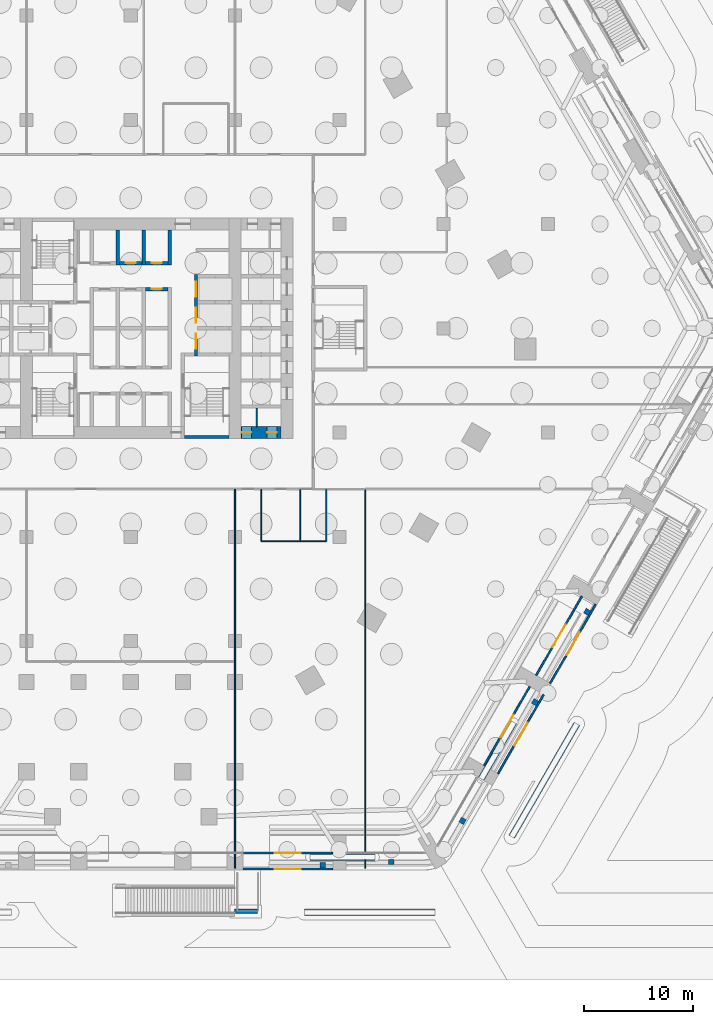
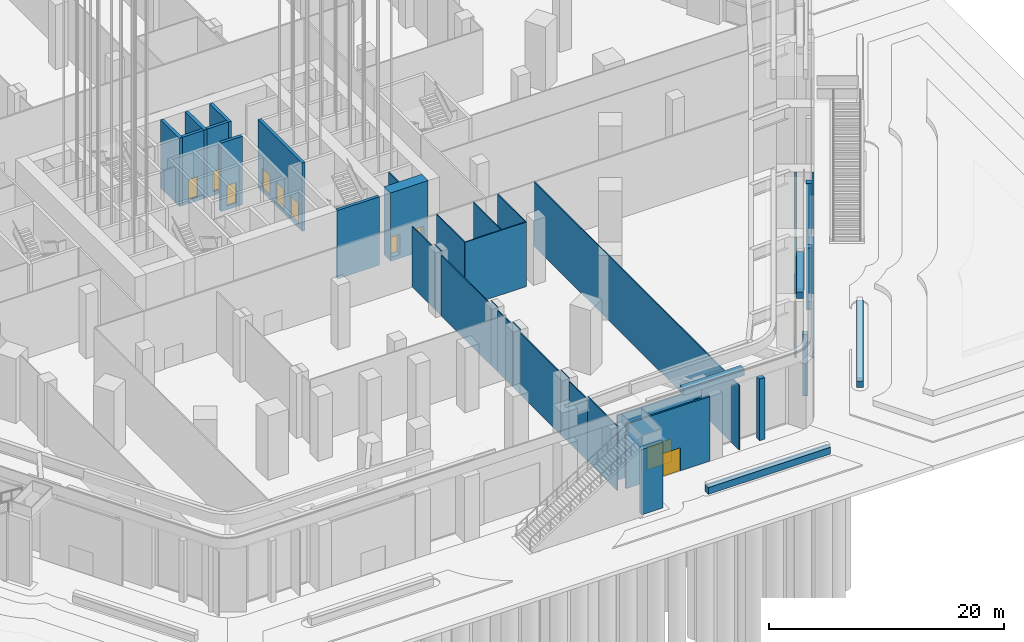
# One storey, part 16 of 68: 41 walls, 14 doors, 14 openings.
"""IFC4 building model written with IfcOpenShell, lengths in metres."""

from ifc_helpers import new_model, si_unit, direction, frame, frame_2d, origin, place, context, subcontext, project, spatial, rectangle, extrude, material, layer, layer_set, type_object, element, fill, save


model = new_model("IFC4")

# Units and contexts
model_context = context("Model", 3, precision=1e-05, world=origin(), true_north=direction((0.0, 1.0)))
body_context = subcontext(model_context, "Body", "Model", "MODEL_VIEW")
ifc_project = project(units=[si_unit("LENGTHUNIT", "METRE"), si_unit("AREAUNIT", "SQUARE_METRE"), si_unit("VOLUMEUNIT", "CUBIC_METRE"), si_unit("PLANEANGLEUNIT", "RADIAN"), si_unit("MASSUNIT", "GRAM", prefix="KILO")], contexts=[model_context])

# Site, building, storey
site_placement = place(None, origin())
site = spatial("IfcSite", under=ifc_project, at=site_placement, CompositionType="ELEMENT")
building_placement = place(site_placement, origin())
building = spatial("IfcBuilding", under=site, at=building_placement, Name="Kolab Exchange Tower", CompositionType="ELEMENT")
storey_placement = place(building_placement, origin())
storey = spatial("IfcBuildingStorey", under=building, at=storey_placement, Name="L00", CompositionType="ELEMENT", Elevation=0.0)

# Wall, openings, doors
ifc_material_1 = material(Name="Concrete C80/95", Category="concrete")
ifc_layer_1 = layer(ifc_material_1, 1.10009765625)
ifc_layer_set_1 = layer_set([ifc_layer_1], Name="Concrete C80/95")
wall_type_1 = type_object("IfcWallType", Name="CORE WALL 1100 C80/95", PredefinedType="SHEAR", material=ifc_layer_set_1)
wall_1_placement = place(storey_placement, frame((10.14990234375, -9.60009765625, -0.39990234375), z_axis=(0.0, 0.0, 1.0), x_axis=(1.0, 0.0, 0.0)))
wall_1 = element("IfcWall", 1, at=wall_1_placement, inside=storey, type_object=wall_type_1, Name="wall/L00/core/004", PredefinedType="SHEAR", context=body_context, shape_type="SweptSolid", body=[
    extrude(rectangle(XDim=3.7001953125, YDim=1.10009765625, at=frame_2d((1.85009765625, 0.0))), origin(), (0.0, 0.0, 1.0), 7.099853515625),
])
opening_1_placement = place(wall_1_placement, frame((0.050048828125, 0.0, 0.39990234375)))
opening_1 = element("IfcOpeningElement", 2, at=opening_1_placement, cuts=wall_1, Name="Opening D6-017", PredefinedType="OPENING", context=body_context, shape_type="SweptSolid", body=[
    extrude(rectangle(XDim=0.89990234375, YDim=2.10009765625, at=frame_2d((0.449951171875, 1.050048828125))), frame((0.0, 0.56005859375, 0.0), z_axis=(0.0, -1.0, 0.0), x_axis=(1.0, 0.0, 0.0)), (0.0, 0.0, 1.0), 1.1201171875),
])
opening_2_placement = place(wall_1_placement, frame((2.39990234375, 0.0, 0.39990234375)))
opening_2 = element("IfcOpeningElement", 3, at=opening_2_placement, cuts=wall_1, Name="Opening D6-018", PredefinedType="OPENING", context=body_context, shape_type="SweptSolid", body=[
    extrude(rectangle(XDim=0.89990234375, YDim=2.10009765625, at=frame_2d((0.449951171875, 1.050048828125))), frame((0.0, 0.56005859375, 0.0), z_axis=(0.0, -1.0, 0.0), x_axis=(1.0, 0.0, 0.0)), (0.0, 0.0, 1.0), 1.1201171875),
])
ifc_material_2 = material(Name="Steel S235", Category="steel")
door_type_1 = type_object("IfcDoorType", Name="CORE DOOR 900 EI 120", OperationType="SINGLE_SWING_LEFT", PredefinedType="DOOR", material=ifc_material_2)
door_1_placement = place(opening_1_placement, origin())
door_1 = element("IfcDoor", 4, at=door_1_placement, inside=storey, type_object=door_type_1, Name="Service room door", OperationType="SINGLE_SWING_RIGHT", OverallHeight=2.10009765625, OverallWidth=0.89990234375, PredefinedType="DOOR", context=body_context, shape_type="SweptSolid", body=[
    extrude(rectangle(XDim=0.89990234375, YDim=2.10009765625, at=frame_2d((0.449951171875, 1.050048828125))), frame((0.0, 0.02490234375, 0.0), z_axis=(0.0, -1.0, 0.0), x_axis=(1.0, 0.0, 0.0)), (0.0, 0.0, 1.0), 0.050048828125),
])
fill(opening_1, door_1)
door_2_placement = place(opening_2_placement, origin())
door_2 = element("IfcDoor", 5, at=door_2_placement, inside=storey, type_object=door_type_1, Name="Service room door", OperationType="SINGLE_SWING_LEFT", OverallHeight=2.10009765625, OverallWidth=0.89990234375, PredefinedType="DOOR", context=body_context, shape_type="SweptSolid", body=[
    extrude(rectangle(XDim=0.89990234375, YDim=2.10009765625, at=frame_2d((0.449951171875, 1.050048828125))), frame((0.0, 0.02490234375, 0.0), z_axis=(0.0, -1.0, 0.0), x_axis=(1.0, 0.0, 0.0)), (0.0, 0.0, 1.0), 0.050048828125),
])
fill(opening_2, door_2)

# Wall, opening, door
ifc_material_3 = material(Name="Aluminium EN AW-6063 T6", Category="aluminium")
ifc_layer_2 = layer(ifc_material_3, 0.159912109375)
ifc_layer_set_2 = layer_set([ifc_layer_2], Name="Aluminium EN AW-6063 T6")
wall_type_2 = type_object("IfcWallType", Name="DOOR SURROUND WALL 160 ALUMINIUM FRAMED", PredefinedType="PARTITIONING", material=ifc_layer_set_2)
wall_2_placement = place(storey_placement, frame((41.53076171875, -24.6728515625, 0.0), z_axis=(0.0, 0.0, 1.0), x_axis=(-0.49999513524, -0.866028212437, 0.0)))
wall_2 = element("IfcWall", 6, at=wall_2_placement, inside=storey, type_object=wall_type_2, Name="Door surround wall", PredefinedType="PARTITIONING", context=body_context, shape_type="SweptSolid", body=[
    extrude(rectangle(XDim=8.39599609375, YDim=0.159912109375, at=frame_2d((4.197998046875, 0.0))), origin(), (0.0, 0.0, 1.0), 6.699951171875),
])
opening_3_placement = place(wall_2_placement, frame((2.998046875, 0.0, 0.0)))
opening_3 = element("IfcOpeningElement", 7, at=opening_3_placement, cuts=wall_2, Name="Opening ED1-010", PredefinedType="OPENING", context=body_context, shape_type="SweptSolid", body=[
    extrude(rectangle(XDim=2.39990234375, YDim=2.39990234375, at=frame_2d((1.199951171875, 1.199951171875))), frame((0.0, 0.08984375, 0.0), z_axis=(0.0, -1.0, 0.0), x_axis=(1.0, 0.0, 0.0)), (0.0, 0.0, 1.0), 0.179931640625),
])
door_type_2 = type_object("IfcDoorType", Name="ENTRANCE DOUBLE DOOR 2400 X 2400", OperationType="DOUBLE_DOOR_DOUBLE_SWING", PredefinedType="DOOR", material=ifc_material_3)
door_3_placement = place(opening_3_placement, origin())
door_3 = element("IfcDoor", 8, at=door_3_placement, inside=storey, type_object=door_type_2, Name="Entrance door", OperationType="DOUBLE_DOOR_DOUBLE_SWING", OverallHeight=2.39990234375, OverallWidth=2.39990234375, PredefinedType="DOOR", context=body_context, shape_type="SweptSolid", body=[
    extrude(rectangle(XDim=2.39990234375, YDim=2.39990234375, at=frame_2d((1.199951171875, 1.199951171875))), frame((0.0, 0.02490234375, 0.0), z_axis=(0.0, -1.0, 0.0), x_axis=(1.0, 0.0, 0.0)), (0.0, 0.0, 1.0), 0.050048828125),
])
fill(opening_3, door_3)

wall_3_placement = place(storey_placement, frame((36.730712890625, -32.98681640625, 0.0), z_axis=(0.0, 0.0, 1.0), x_axis=(-0.500007726539, -0.866020942819, 0.0)))
wall_3 = element("IfcWall", 9, at=wall_3_placement, inside=storey, type_object=wall_type_2, Name="Door surround wall", PredefinedType="PARTITIONING", context=body_context, shape_type="SweptSolid", body=[
    extrude(rectangle(XDim=8.395751953125, YDim=0.159912109375, at=frame_2d((4.19775390625, 0.0))), origin(), (0.0, 0.0, 1.0), 6.699951171875),
])
opening_4_placement = place(wall_3_placement, frame((2.998046875, 0.0, 0.0)))
opening_4 = element("IfcOpeningElement", 10, at=opening_4_placement, cuts=wall_3, Name="Opening ED1-011", PredefinedType="OPENING", context=body_context, shape_type="SweptSolid", body=[
    extrude(rectangle(XDim=2.39990234375, YDim=2.39990234375, at=frame_2d((1.199951171875, 1.199951171875))), frame((0.0, 0.08984375, 0.0), z_axis=(0.0, -1.0, 0.0), x_axis=(1.0, 0.0, 0.0)), (0.0, 0.0, 1.0), 0.179931640625),
])
door_4_placement = place(opening_4_placement, origin())
door_4 = element("IfcDoor", 11, at=door_4_placement, inside=storey, type_object=door_type_2, Name="Entrance door", OperationType="DOUBLE_DOOR_DOUBLE_SWING", OverallHeight=2.39990234375, OverallWidth=2.39990234375, PredefinedType="DOOR", context=body_context, shape_type="SweptSolid", body=[
    extrude(rectangle(XDim=2.39990234375, YDim=2.39990234375, at=frame_2d((1.199951171875, 1.199951171875))), frame((0.0, 0.02490234375, 0.0), z_axis=(0.0, -1.0, 0.0), x_axis=(1.0, 0.0, 0.0)), (0.0, 0.0, 1.0), 0.050048828125),
])
fill(opening_4, door_4)

wall_4_placement = place(storey_placement, frame((18.597900390625, -48.302978515625, 0.0), z_axis=(0.0, 0.0, 1.0), x_axis=(-1.0, 0.0, 0.0)))
wall_4 = element("IfcWall", 12, at=wall_4_placement, inside=storey, type_object=wall_type_2, Name="Door surround wall", PredefinedType="PARTITIONING", context=body_context, shape_type="SweptSolid", body=[
    extrude(rectangle(XDim=8.245849609375, YDim=0.159912109375, at=frame_2d((4.123046875, 0.0))), origin(), (0.0, 0.0, 1.0), 6.699951171875),
])
opening_5_placement = place(wall_4_placement, frame((2.923095703125, 0.0, 0.0)))
opening_5 = element("IfcOpeningElement", 13, at=opening_5_placement, cuts=wall_4, Name="Opening ED1-014", PredefinedType="OPENING", context=body_context, shape_type="SweptSolid", body=[
    extrude(rectangle(XDim=2.39990234375, YDim=2.39990234375, at=frame_2d((1.199951171875, 1.199951171875))), frame((0.0, 0.08984375, 0.0), z_axis=(0.0, -1.0, 0.0), x_axis=(1.0, 0.0, 0.0)), (0.0, 0.0, 1.0), 0.179931640625),
])
door_5_placement = place(opening_5_placement, origin())
door_5 = element("IfcDoor", 14, at=door_5_placement, inside=storey, type_object=door_type_2, Name="Entrance door", OperationType="DOUBLE_DOOR_DOUBLE_SWING", OverallHeight=2.39990234375, OverallWidth=2.39990234375, PredefinedType="DOOR", context=body_context, shape_type="SweptSolid", body=[
    extrude(rectangle(XDim=2.39990234375, YDim=2.39990234375, at=frame_2d((1.199951171875, 1.199951171875))), frame((0.0, 0.02490234375, 0.0), z_axis=(0.0, -1.0, 0.0), x_axis=(1.0, 0.0, 0.0)), (0.0, 0.0, 1.0), 0.050048828125),
])
fill(opening_5, door_5)

wall_5_placement = place(storey_placement, frame((42.811279296875, -25.41455078125, 0.0), z_axis=(0.0, 0.0, 1.0), x_axis=(-0.499975122566, -0.866039766301, 0.0)))
wall_5 = element("IfcWall", 15, at=wall_5_placement, inside=storey, type_object=wall_type_2, Name="Door surround wall", PredefinedType="PARTITIONING", context=body_context, shape_type="SweptSolid", body=[
    extrude(rectangle(XDim=8.39208984375, YDim=0.159912109375, at=frame_2d((4.196044921875, 0.0))), origin(), (0.0, 0.0, 1.0), 6.699951171875),
])
opening_6_placement = place(wall_5_placement, frame((2.99609375, 0.0, 0.0)))
opening_6 = element("IfcOpeningElement", 16, at=opening_6_placement, cuts=wall_5, Name="Opening ED1-033", PredefinedType="OPENING", context=body_context, shape_type="SweptSolid", body=[
    extrude(rectangle(XDim=2.39990234375, YDim=2.39990234375, at=frame_2d((1.199951171875, 1.199951171875))), frame((0.0, 0.08984375, 0.0), z_axis=(0.0, -1.0, 0.0), x_axis=(1.0, 0.0, 0.0)), (0.0, 0.0, 1.0), 0.179931640625),
])
door_6_placement = place(opening_6_placement, origin())
door_6 = element("IfcDoor", 17, at=door_6_placement, inside=storey, type_object=door_type_2, Name="Entrance door", OperationType="DOUBLE_DOOR_DOUBLE_SWING", OverallHeight=2.39990234375, OverallWidth=2.39990234375, PredefinedType="DOOR", context=body_context, shape_type="SweptSolid", body=[
    extrude(rectangle(XDim=2.39990234375, YDim=2.39990234375, at=frame_2d((1.199951171875, 1.199951171875))), frame((0.0, 0.02490234375, 0.0), z_axis=(0.0, -1.0, 0.0), x_axis=(1.0, 0.0, 0.0)), (0.0, 0.0, 1.0), 0.050048828125),
])
fill(opening_6, door_6)

wall_6_placement = place(storey_placement, frame((38.011474609375, -33.728515625, 0.0), z_axis=(0.0, 0.0, 1.0), x_axis=(-0.500009539049, -0.866019896342, 0.0)))
wall_6 = element("IfcWall", 18, at=wall_6_placement, inside=storey, type_object=wall_type_2, Name="Door surround wall", PredefinedType="PARTITIONING", context=body_context, shape_type="SweptSolid", body=[
    extrude(rectangle(XDim=8.391845703125, YDim=0.159912109375, at=frame_2d((4.19580078125, 0.0))), origin(), (0.0, 0.0, 1.0), 6.699951171875),
])
opening_7_placement = place(wall_6_placement, frame((2.99609375, 0.0, 0.0)))
opening_7 = element("IfcOpeningElement", 19, at=opening_7_placement, cuts=wall_6, Name="Opening ED1-034", PredefinedType="OPENING", context=body_context, shape_type="SweptSolid", body=[
    extrude(rectangle(XDim=2.39990234375, YDim=2.39990234375, at=frame_2d((1.199951171875, 1.199951171875))), frame((0.0, 0.08984375, 0.0), z_axis=(0.0, -1.0, 0.0), x_axis=(1.0, 0.0, 0.0)), (0.0, 0.0, 1.0), 0.179931640625),
])
door_7_placement = place(opening_7_placement, origin())
door_7 = element("IfcDoor", 20, at=door_7_placement, inside=storey, type_object=door_type_2, Name="Entrance door", OperationType="DOUBLE_DOOR_DOUBLE_SWING", OverallHeight=2.39990234375, OverallWidth=2.39990234375, PredefinedType="DOOR", context=body_context, shape_type="SweptSolid", body=[
    extrude(rectangle(XDim=2.39990234375, YDim=2.39990234375, at=frame_2d((1.199951171875, 1.199951171875))), frame((0.0, 0.02490234375, 0.0), z_axis=(0.0, -1.0, 0.0), x_axis=(1.0, 0.0, 0.0)), (0.0, 0.0, 1.0), 0.050048828125),
])
fill(opening_7, door_7)

wall_7_placement = place(storey_placement, frame((18.595947265625, -49.782958984375, 0.0), z_axis=(0.0, 0.0, 1.0), x_axis=(-1.0, 0.0, 0.0)))
wall_7 = element("IfcWall", 21, at=wall_7_placement, inside=storey, type_object=wall_type_2, Name="Door surround wall", PredefinedType="PARTITIONING", context=body_context, shape_type="SweptSolid", body=[
    extrude(rectangle(XDim=8.241943359375, YDim=0.159912109375, at=frame_2d((4.12109375, 0.0))), origin(), (0.0, 0.0, 1.0), 6.699951171875),
])
opening_8_placement = place(wall_7_placement, frame((2.9208984375, 0.0, 0.0)))
opening_8 = element("IfcOpeningElement", 22, at=opening_8_placement, cuts=wall_7, Name="Opening ED1-035", PredefinedType="OPENING", context=body_context, shape_type="SweptSolid", body=[
    extrude(rectangle(XDim=2.39990234375, YDim=2.39990234375, at=frame_2d((1.199951171875, 1.199951171875))), frame((0.0, 0.08984375, 0.0), z_axis=(0.0, -1.0, 0.0), x_axis=(1.0, 0.0, 0.0)), (0.0, 0.0, 1.0), 0.179931640625),
])
door_8_placement = place(opening_8_placement, origin())
door_8 = element("IfcDoor", 23, at=door_8_placement, inside=storey, type_object=door_type_2, Name="Entrance door", OperationType="DOUBLE_DOOR_DOUBLE_SWING", OverallHeight=2.39990234375, OverallWidth=2.39990234375, PredefinedType="DOOR", context=body_context, shape_type="SweptSolid", body=[
    extrude(rectangle(XDim=2.39990234375, YDim=2.39990234375, at=frame_2d((1.199951171875, 1.199951171875))), frame((0.0, 0.02490234375, 0.0), z_axis=(0.0, -1.0, 0.0), x_axis=(1.0, 0.0, 0.0)), (0.0, 0.0, 1.0), 0.050048828125),
])
fill(opening_8, door_8)

ifc_material_4 = material(Name="Concrete C50/60", Category="concrete")
ifc_layer_3 = layer(ifc_material_4, 0.300048828125)
ifc_layer_set_3 = layer_set([ifc_layer_3], Name="Concrete C50/60")
wall_type_3 = type_object("IfcWallType", Name="LIFT SHAFT WALL 300 C50/60", PredefinedType="STANDARD", material=ifc_layer_set_3)
wall_8_placement = place(storey_placement, frame((1.35009765625, 3.60009765625, -0.39990234375), z_axis=(0.0, 0.0, 1.0), x_axis=(1.0, 0.0, 0.0)))
wall_8 = element("IfcWall", 24, at=wall_8_placement, inside=storey, type_object=wall_type_3, Name="wall/L00/core/039", PredefinedType="STANDARD", context=body_context, shape_type="SweptSolid", body=[
    extrude(rectangle(XDim=2.099853515625, YDim=0.300048828125, at=frame_2d((1.0498046875, 0.0))), origin(), (0.0, 0.0, 1.0), 7.099853515625),
])
opening_9_placement = place(wall_8_placement, frame((0.60009765625, 0.0, 0.39990234375)))
opening_9 = element("IfcOpeningElement", 25, at=opening_9_placement, cuts=wall_8, Name="Opening D6-004", PredefinedType="OPENING", context=body_context, shape_type="SweptSolid", body=[
    extrude(rectangle(XDim=0.89990234375, YDim=2.10009765625, at=frame_2d((0.449951171875, 1.050048828125))), frame((0.0, 0.16015625, 0.0), z_axis=(0.0, -1.0, 0.0), x_axis=(1.0, 0.0, 0.0)), (0.0, 0.0, 1.0), 0.320068359375),
])
door_9_placement = place(opening_9_placement, frame((0.89990234375, 0.0, 0.0), z_axis=(0.0, 0.0, 1.0), x_axis=(-1.0, 0.0, 0.0)))
door_9 = element("IfcDoor", 26, at=door_9_placement, inside=storey, type_object=door_type_1, Name="Service room door", OperationType="SINGLE_SWING_RIGHT", OverallHeight=2.10009765625, OverallWidth=0.89990234375, PredefinedType="DOOR", context=body_context, shape_type="SweptSolid", body=[
    extrude(rectangle(XDim=0.89990234375, YDim=2.10009765625, at=frame_2d((0.449951171875, 1.050048828125))), frame((0.0, 0.02490234375, 0.0), z_axis=(0.0, -1.0, 0.0), x_axis=(1.0, 0.0, 0.0)), (0.0, 0.0, 1.0), 0.050048828125),
])
fill(opening_9, door_9)

wall_9_placement = place(storey_placement, frame((-1.050048828125, 6.0, -0.39990234375), z_axis=(0.0, 0.0, 1.0), x_axis=(1.0, 0.0, 0.0)))
wall_9 = element("IfcWall", 27, at=wall_9_placement, inside=storey, type_object=wall_type_3, Name="wall/L00/core/046", PredefinedType="STANDARD", context=body_context, shape_type="SweptSolid", body=[
    extrude(rectangle(XDim=2.10009765625, YDim=0.300048828125, at=frame_2d((1.050048828125, 0.0))), origin(), (0.0, 0.0, 1.0), 7.099853515625),
])
opening_10_placement = place(wall_9_placement, frame((0.60009765625, 0.0, 0.39990234375)))
opening_10 = element("IfcOpeningElement", 28, at=opening_10_placement, cuts=wall_9, Name="Opening D6-002", PredefinedType="OPENING", context=body_context, shape_type="SweptSolid", body=[
    extrude(rectangle(XDim=0.89990234375, YDim=2.10009765625, at=frame_2d((0.449951171875, 1.050048828125))), frame((0.0, 0.16015625, 0.0), z_axis=(0.0, -1.0, 0.0), x_axis=(1.0, 0.0, 0.0)), (0.0, 0.0, 1.0), 0.320068359375),
])
door_10_placement = place(opening_10_placement, origin())
door_10 = element("IfcDoor", 29, at=door_10_placement, inside=storey, type_object=door_type_1, Name="Service room door", OperationType="SINGLE_SWING_LEFT", OverallHeight=2.10009765625, OverallWidth=0.89990234375, PredefinedType="DOOR", context=body_context, shape_type="SweptSolid", body=[
    extrude(rectangle(XDim=0.89990234375, YDim=2.10009765625, at=frame_2d((0.449951171875, 1.050048828125))), frame((0.0, 0.02490234375, 0.0), z_axis=(0.0, -1.0, 0.0), x_axis=(1.0, 0.0, 0.0)), (0.0, 0.0, 1.0), 0.050048828125),
])
fill(opening_10, door_10)

wall_10_placement = place(storey_placement, frame((1.35009765625, 6.0, -0.39990234375), z_axis=(0.0, 0.0, 1.0), x_axis=(1.0, 0.0, 0.0)))
wall_10 = element("IfcWall", 30, at=wall_10_placement, inside=storey, type_object=wall_type_3, Name="wall/L00/core/047", PredefinedType="STANDARD", context=body_context, shape_type="SweptSolid", body=[
    extrude(rectangle(XDim=2.099853515625, YDim=0.300048828125, at=frame_2d((1.0498046875, 0.0))), origin(), (0.0, 0.0, 1.0), 7.099853515625),
])
opening_11_placement = place(wall_10_placement, frame((0.60009765625, 0.0, 0.39990234375)))
opening_11 = element("IfcOpeningElement", 31, at=opening_11_placement, cuts=wall_10, Name="Opening D6-001", PredefinedType="OPENING", context=body_context, shape_type="SweptSolid", body=[
    extrude(rectangle(XDim=0.89990234375, YDim=2.10009765625, at=frame_2d((0.449951171875, 1.050048828125))), frame((0.0, 0.16015625, 0.0), z_axis=(0.0, -1.0, 0.0), x_axis=(1.0, 0.0, 0.0)), (0.0, 0.0, 1.0), 0.320068359375),
])
door_11_placement = place(opening_11_placement, origin())
door_11 = element("IfcDoor", 32, at=door_11_placement, inside=storey, type_object=door_type_1, Name="Service room door", OperationType="SINGLE_SWING_RIGHT", OverallHeight=2.10009765625, OverallWidth=0.89990234375, PredefinedType="DOOR", context=body_context, shape_type="SweptSolid", body=[
    extrude(rectangle(XDim=0.89990234375, YDim=2.10009765625, at=frame_2d((0.449951171875, 1.050048828125))), frame((0.0, 0.02490234375, 0.0), z_axis=(0.0, -1.0, 0.0), x_axis=(1.0, 0.0, 0.0)), (0.0, 0.0, 1.0), 0.050048828125),
])
fill(opening_11, door_11)

# Walls
for number, where, z_axis, x_axis, name in (
    (33, (-1.199951171875, 5.85009765625, -0.39990234375), (0.0, 0.0, 1.0), (0.0, 1.0, 0.0), "wall/L00/core/071"),
    (34, (1.199951171875, 5.85009765625, -0.39990234375), (0.0, 0.0, 1.0), (0.0, 1.0, 0.0), "wall/L00/core/074"),
    (35, (3.60009765625, 5.85009765625, -0.39990234375), (0.0, 0.0, 1.0), (0.0, 1.0, 0.0), "wall/L00/core/077"),
):
    element("IfcWall", number, at=place(storey_placement, frame(where, z_axis=z_axis, x_axis=x_axis)), inside=storey, type_object=wall_type_3, Name=name, PredefinedType="STANDARD", context=body_context, shape_type="SweptSolid", body=[
        extrude(rectangle(XDim=3.199951171875, YDim=0.300048828125, at=frame_2d((1.60009765625, 0.0))), origin(), (0.0, 0.0, 1.0), 7.099853515625),
    ])

# Wall, openings, doors
wall_11_placement = place(storey_placement, frame((6.0, -2.550048828125, -0.39990234375), z_axis=(0.0, 0.0, 1.0), x_axis=(0.0, 1.0, 0.0)))
wall_11 = element("IfcWall", 36, at=wall_11_placement, inside=storey, type_object=wall_type_3, Name="wall/L00/core/079", PredefinedType="STANDARD", context=body_context, shape_type="SweptSolid", body=[
    extrude(rectangle(XDim=7.5, YDim=0.300048828125, at=frame_2d((3.75, 0.0))), origin(), (0.0, 0.0, 1.0), 7.099853515625),
])
opening_12_placement = place(wall_11_placement, frame((0.64990234375, 0.0, 0.39990234375)))
opening_12 = element("IfcOpeningElement", 37, at=opening_12_placement, cuts=wall_11, Name="Opening LD3-001", PredefinedType="OPENING", context=body_context, shape_type="SweptSolid", body=[
    extrude(rectangle(XDim=1.39990234375, YDim=2.10009765625, at=frame_2d((0.699951171875, 1.050048828125))), frame((0.0, 0.16015625, 0.0), z_axis=(0.0, -1.0, 0.0), x_axis=(1.0, 0.0, 0.0)), (0.0, 0.0, 1.0), 0.320068359375),
])
opening_13_placement = place(wall_11_placement, frame((3.050048828125, 0.0, 0.39990234375)))
opening_13 = element("IfcOpeningElement", 38, at=opening_13_placement, cuts=wall_11, Name="Opening LD3-002", PredefinedType="OPENING", context=body_context, shape_type="SweptSolid", body=[
    extrude(rectangle(XDim=1.39990234375, YDim=2.10009765625, at=frame_2d((0.699951171875, 1.050048828125))), frame((0.0, 0.16015625, 0.0), z_axis=(0.0, -1.0, 0.0), x_axis=(1.0, 0.0, 0.0)), (0.0, 0.0, 1.0), 0.320068359375),
])
opening_14_placement = place(wall_11_placement, frame((5.449951171875, 0.0, 0.39990234375)))
opening_14 = element("IfcOpeningElement", 39, at=opening_14_placement, cuts=wall_11, Name="Opening LD3-003", PredefinedType="OPENING", context=body_context, shape_type="SweptSolid", body=[
    extrude(rectangle(XDim=1.39990234375, YDim=2.10009765625, at=frame_2d((0.699951171875, 1.050048828125))), frame((0.0, 0.16015625, 0.0), z_axis=(0.0, -1.0, 0.0), x_axis=(1.0, 0.0, 0.0)), (0.0, 0.0, 1.0), 0.320068359375),
])
ifc_material_5 = material(Name="Stainless steel 316", Category="steel")
door_type_3 = type_object("IfcDoorType", Name="LANDING DOOR 1400 SERVICE", OperationType="DOUBLE_DOOR_SLIDING", PredefinedType="DOOR", material=ifc_material_5)
door_12_placement = place(opening_12_placement, origin())
door_12 = element("IfcDoor", 40, at=door_12_placement, inside=storey, type_object=door_type_3, Name="Landing door SV1", OperationType="DOUBLE_DOOR_SLIDING", OverallHeight=2.10009765625, OverallWidth=1.39990234375, PredefinedType="DOOR", context=body_context, shape_type="SweptSolid", body=[
    extrude(rectangle(XDim=1.39990234375, YDim=2.10009765625, at=frame_2d((0.699951171875, 1.050048828125))), frame((0.0, 0.02490234375, 0.0), z_axis=(0.0, -1.0, 0.0), x_axis=(1.0, 0.0, 0.0)), (0.0, 0.0, 1.0), 0.050048828125),
])
fill(opening_12, door_12)
door_13_placement = place(opening_13_placement, origin())
door_13 = element("IfcDoor", 41, at=door_13_placement, inside=storey, type_object=door_type_3, Name="Landing door SV2", OperationType="DOUBLE_DOOR_SLIDING", OverallHeight=2.10009765625, OverallWidth=1.39990234375, PredefinedType="DOOR", context=body_context, shape_type="SweptSolid", body=[
    extrude(rectangle(XDim=1.39990234375, YDim=2.10009765625, at=frame_2d((0.699951171875, 1.050048828125))), frame((0.0, 0.02490234375, 0.0), z_axis=(0.0, -1.0, 0.0), x_axis=(1.0, 0.0, 0.0)), (0.0, 0.0, 1.0), 0.050048828125),
])
fill(opening_13, door_13)
door_14_placement = place(opening_14_placement, origin())
door_14 = element("IfcDoor", 42, at=door_14_placement, inside=storey, type_object=door_type_3, Name="Landing door SV3", OperationType="DOUBLE_DOOR_SLIDING", OverallHeight=2.10009765625, OverallWidth=1.39990234375, PredefinedType="DOOR", context=body_context, shape_type="SweptSolid", body=[
    extrude(rectangle(XDim=1.39990234375, YDim=2.10009765625, at=frame_2d((0.699951171875, 1.050048828125))), frame((0.0, 0.02490234375, 0.0), z_axis=(0.0, -1.0, 0.0), x_axis=(1.0, 0.0, 0.0)), (0.0, 0.0, 1.0), 0.050048828125),
])
fill(opening_14, door_14)

# Walls
ifc_material_6 = material(Name="Gypsum board", Category="gypsum")
ifc_layer_4 = layer(ifc_material_6, 0.10009765625)
ifc_layer_set_4 = layer_set([ifc_layer_4], Name="Gypsum board")
wall_type_4 = type_object("IfcWallType", Name="PARTITION 100", PredefinedType="PARTITIONING", material=ifc_layer_set_4)
wall_12_placement = place(storey_placement, frame((21.60009765625, -49.713134765625, 0.0), z_axis=(0.0, 0.0, 1.0), x_axis=(0.0, 1.0, 0.0)))
element("IfcWall", 43, at=wall_12_placement, inside=storey, type_object=wall_type_4, Name="Partition 001", PredefinedType="PARTITIONING", context=body_context, shape_type="SweptSolid", body=[
    extrude(rectangle(XDim=34.9130859375, YDim=0.10009765625, at=frame_2d((17.45654296875, 0.0))), origin(), (0.0, 0.0, 1.0), 6.699951171875),
])
for number, where, z_axis, x_axis, name in (
    (44, (18.0, -19.60009765625, 0.0), (0.0, 0.0, 1.0), (0.0, 1.0, 0.0), "Partition 003"),
    (45, (15.60009765625, -19.60009765625, 0.0), (0.0, 0.0, 1.0), (0.0, 1.0, 0.0), "Partition 006"),
    (46, (12.0, -19.60009765625, 0.0), (0.0, 0.0, 1.0), (0.0, 1.0, 0.0), "Partition 008"),
):
    element("IfcWall", number, at=place(storey_placement, frame(where, z_axis=z_axis, x_axis=x_axis)), inside=storey, type_object=wall_type_4, Name=name, PredefinedType="PARTITIONING", context=body_context, shape_type="SweptSolid", body=[
        extrude(rectangle(XDim=4.800048828125, YDim=0.10009765625, at=frame_2d((2.39990234375, 0.0))), origin(), (0.0, 0.0, 1.0), 6.699951171875),
    ])
wall_13_placement = place(storey_placement, frame((11.60009765625, -9.050048828125, 0.0), z_axis=(0.0, 0.0, 1.0), x_axis=(0.0, 1.0, 0.0)))
element("IfcWall", 47, at=wall_13_placement, inside=storey, type_object=wall_type_4, Name="Partition 009", PredefinedType="PARTITIONING", context=body_context, shape_type="SweptSolid", body=[
    extrude(rectangle(XDim=1.699951171875, YDim=0.10009765625, at=frame_2d((0.85009765625, 0.0))), origin(), (0.0, 0.0, 1.0), 6.699951171875),
])
wall_14_placement = place(storey_placement, frame((9.60009765625, -28.239990234375, 0.0), z_axis=(0.0, 0.0, 1.0), x_axis=(0.0, 1.0, 0.0)))
element("IfcWall", 48, at=wall_14_placement, inside=storey, type_object=wall_type_4, Name="Partition 010", PredefinedType="PARTITIONING", context=body_context, shape_type="SweptSolid", body=[
    extrude(rectangle(XDim=8.47998046875, YDim=0.10009765625, at=frame_2d((4.239990234375, 0.0))), origin(), (0.0, 0.0, 1.0), 6.29296875),
])
wall_15_placement = place(storey_placement, frame((9.60009765625, -49.713134765625, 0.0), z_axis=(0.0, 0.0, 1.0), x_axis=(0.0, 1.0, 0.0)))
element("IfcWall", 49, at=wall_15_placement, inside=storey, type_object=wall_type_4, Name="Partition 010", PredefinedType="PARTITIONING", context=body_context, shape_type="SweptSolid", body=[
    extrude(rectangle(XDim=5.009765625, YDim=0.10009765625, at=frame_2d((2.5048828125, 0.0))), origin(), (0.0, 0.0, 1.0), 6.699951171875),
])
wall_16_placement = place(storey_placement, frame((9.60009765625, -44.703369140625, 0.0), z_axis=(0.0, 0.0, 1.0), x_axis=(0.0, 1.0, 0.0)))
element("IfcWall", 50, at=wall_16_placement, inside=storey, type_object=wall_type_4, Name="Partition 010", PredefinedType="PARTITIONING", context=body_context, shape_type="SweptSolid", body=[
    extrude(rectangle(XDim=3.174072265625, YDim=0.10009765625, at=frame_2d((1.5869140625, 0.0))), origin(), (0.0, 0.0, 1.0), 6.389892578125),
])
wall_17_placement = place(storey_placement, frame((9.60009765625, -41.529296875, 0.0), z_axis=(0.0, 0.0, 1.0), x_axis=(0.0, 1.0, 0.0)))
element("IfcWall", 51, at=wall_17_placement, inside=storey, type_object=wall_type_4, Name="Partition 010", PredefinedType="PARTITIONING", context=body_context, shape_type="SweptSolid", body=[
    extrude(rectangle(XDim=1.420166015625, YDim=0.10009765625, at=frame_2d((0.7099609375, 0.0))), origin(), (0.0, 0.0, 1.0), 6.699951171875),
])
wall_18_placement = place(storey_placement, frame((9.60009765625, -40.109130859375, 0.0), z_axis=(0.0, 0.0, 1.0), x_axis=(0.0, 1.0, 0.0)))
element("IfcWall", 52, at=wall_18_placement, inside=storey, type_object=wall_type_4, Name="Partition 010", PredefinedType="PARTITIONING", context=body_context, shape_type="SweptSolid", body=[
    extrude(rectangle(XDim=6.893798828125, YDim=0.10009765625, at=frame_2d((3.44677734375, 0.0))), origin(), (0.0, 0.0, 1.0), 6.389892578125),
])
wall_19_placement = place(storey_placement, frame((9.60009765625, -33.21533203125, 0.0), z_axis=(0.0, 0.0, 1.0), x_axis=(0.0, 1.0, 0.0)))
element("IfcWall", 53, at=wall_19_placement, inside=storey, type_object=wall_type_4, Name="Partition 010", PredefinedType="PARTITIONING", context=body_context, shape_type="SweptSolid", body=[
    extrude(rectangle(XDim=1.31982421875, YDim=0.10009765625, at=frame_2d((0.659912109375, 0.0))), origin(), (0.0, 0.0, 1.0), 6.699951171875),
])
wall_20_placement = place(storey_placement, frame((9.60009765625, -31.8955078125, 0.0), z_axis=(0.0, 0.0, 1.0), x_axis=(0.0, 1.0, 0.0)))
element("IfcWall", 54, at=wall_20_placement, inside=storey, type_object=wall_type_4, Name="Partition 010", PredefinedType="PARTITIONING", context=body_context, shape_type="SweptSolid", body=[
    extrude(rectangle(XDim=2.535400390625, YDim=0.10009765625, at=frame_2d((1.267578125, 0.0))), origin(), (0.0, 0.0, 1.0), 6.389892578125),
])
for number, where, z_axis, x_axis, name in (
    (55, (9.60009765625, -29.360107421875, 0.0), (0.0, 0.0, 1.0), (0.0, 1.0, 0.0), "Partition 010"),
    (56, (9.60009765625, -19.760009765625, 0.0), (0.0, 0.0, 1.0), (0.0, 1.0, 0.0), "Partition 010"),
):
    element("IfcWall", number, at=place(storey_placement, frame(where, z_axis=z_axis, x_axis=x_axis)), inside=storey, type_object=wall_type_4, Name=name, PredefinedType="PARTITIONING", context=body_context, shape_type="SweptSolid", body=[
        extrude(rectangle(XDim=1.1201171875, YDim=0.10009765625, at=frame_2d((0.56005859375, 0.0))), origin(), (0.0, 0.0, 1.0), 6.699951171875),
    ])
wall_21_placement = place(storey_placement, frame((9.60009765625, -18.639892578125, 0.0), z_axis=(0.0, 0.0, 1.0), x_axis=(0.0, 1.0, 0.0)))
element("IfcWall", 57, at=wall_21_placement, inside=storey, type_object=wall_type_4, Name="Partition 010", PredefinedType="PARTITIONING", context=body_context, shape_type="SweptSolid", body=[
    extrude(rectangle(XDim=3.83984375, YDim=0.10009765625, at=frame_2d((1.919921875, 0.0))), origin(), (0.0, 0.0, 1.0), 6.29296875),
])
wall_22_placement = place(storey_placement, frame((12.0, -19.60009765625, 0.0), z_axis=(0.0, 0.0, 1.0), x_axis=(1.0, 0.0, 0.0)))
element("IfcWall", 58, at=wall_22_placement, inside=storey, type_object=wall_type_4, Name="Partition 026", PredefinedType="PARTITIONING", context=body_context, shape_type="SweptSolid", body=[
    extrude(rectangle(XDim=6.0, YDim=0.10009765625, at=frame_2d((3.0, 0.0))), origin(), (0.0, 0.0, 1.0), 6.699951171875),
])
ifc_material_7 = material(Name="Granite facing", Category="masonry")
ifc_layer_5 = layer(ifc_material_7, 0.0400390625)
ifc_material_8 = material(Name="Concrete C40/50 precast", Category="concrete")
ifc_layer_6 = layer(ifc_material_8, 0.56005859375)
ifc_layer_set_5 = layer_set([ifc_layer_5, ifc_layer_6], Name="Concrete C40/50 precast")
wall_type_5 = type_object("IfcWallType", Name="PLANTER BOX 600 X 700 SOIL DEPTH 550", PredefinedType="USERDEFINED", material=ifc_layer_set_5)
for number, where, z_axis, x_axis, name in (
    (59, (35.269775390625, -36.277099609375, 7.0), (0.0, 0.0, 1.0), (-0.499990139034, -0.866031096941, 0.0), "Planter"),
    (60, (22.489013671875, -48.6826171875, 7.0), (0.0, 0.0, 1.0), (-1.0, 0.0, 0.0), "Planter"),
):
    element("IfcWall", number, at=place(storey_placement, frame(where, z_axis=z_axis, x_axis=x_axis)), inside=storey, type_object=wall_type_5, Name=name, ObjectType="PLANTER", PredefinedType="USERDEFINED", context=body_context, shape_type="SweptSolid", body=[
        extrude(rectangle(XDim=6.0, YDim=0.60009765625, at=frame_2d((3.0, 0.0))), origin(), (0.0, 0.0, 1.0), 0.699951171875),
    ])
for number, where, z_axis, x_axis, name in (
    (61, (41.077392578125, -36.417724609375, 0.0), (0.0, 0.0, 1.0), (-0.49999894854, -0.866026010844, 0.0), "Planter"),
    (62, (28.0, -53.782958984375, 0.0), (0.0, 0.0, 1.0), (-1.0, 0.0, 0.0), "Planter"),
):
    element("IfcWall", number, at=place(storey_placement, frame(where, z_axis=z_axis, x_axis=x_axis)), inside=storey, type_object=wall_type_5, Name=name, ObjectType="PLANTER", PredefinedType="USERDEFINED", context=body_context, shape_type="SweptSolid", body=[
        extrude(rectangle(XDim=12.0, YDim=0.60009765625, at=frame_2d((6.0, 0.0))), origin(), (0.0, 0.0, 1.0), 0.699951171875),
    ])
ifc_layer_7 = layer(ifc_material_4, 0.300048828125)
ifc_layer_set_6 = layer_set([ifc_layer_7], Name="Concrete C50/60")
wall_type_6 = type_object("IfcWallType", Name="STAIR ENCLOSURE WALL 300 C50/60", PredefinedType="STANDARD", material=ifc_layer_set_6)
wall_23_placement = place(storey_placement, frame((4.949951171875, -10.0, -0.39990234375), z_axis=(0.0, 0.0, 1.0), x_axis=(1.0, 0.0, 0.0)))
element("IfcWall", 63, at=wall_23_placement, inside=storey, type_object=wall_type_6, Name="wall/L00/core/001", PredefinedType="STANDARD", context=body_context, shape_type="SweptSolid", body=[
    extrude(rectangle(XDim=4.10009765625, YDim=0.300048828125, at=frame_2d((2.050048828125, 0.0))), origin(), (0.0, 0.0, 1.0), 7.099853515625),
])
ifc_material_9 = material(Name="Concrete C40/50", Category="concrete")
ifc_layer_8 = layer(ifc_material_9, 0.39990234375)
ifc_layer_set_7 = layer_set([ifc_layer_8], Name="Concrete C40/50")
wall_type_7 = type_object("IfcWallType", Name="STAIR LANDING SUPPORT PIER 2100 X 400", PredefinedType="SOLIDWALL", material=ifc_layer_set_7)
wall_24_placement = place(storey_placement, frame((11.659912109375, -53.68310546875, 0.0), z_axis=(0.0, 0.0, 1.0), x_axis=(-1.0, 0.0, 0.0)))
element("IfcWall", 64, at=wall_24_placement, inside=storey, type_object=wall_type_7, Name="Stair landing support pier", PredefinedType="SOLIDWALL", context=body_context, shape_type="SweptSolid", body=[
    extrude(rectangle(XDim=2.099853515625, YDim=0.39990234375, at=frame_2d((1.0498046875, 0.0))), origin(), (0.0, 0.0, 1.0), 6.800048828125),
])
ifc_layer_9 = layer(ifc_material_7, 0.5)
ifc_layer_set_8 = layer_set([ifc_layer_9], Name="Granite facing")
wall_type_8 = type_object("IfcWallType", Name="STONE FACADE FIN 500 X 500", PredefinedType="SOLIDWALL", material=ifc_layer_set_8)
wall_25_placement = place(storey_placement, frame((42.152587890625, -25.895751953125, 0.0), z_axis=(0.0, 0.0, 1.0), x_axis=(-0.500131122175, -0.865949687125, 0.0)))
element("IfcWall", 65, at=wall_25_placement, inside=storey, type_object=wall_type_8, Name="Stone facade fin", PredefinedType="SOLIDWALL", context=body_context, shape_type="SweptSolid", body=[
    extrude(rectangle(XDim=0.499755859375, YDim=0.5, at=frame_2d((0.25, 0.0))), origin(), (0.0, 0.0, 1.0), 6.39990234375),
])
for number, where, z_axis, x_axis, name in (
    (66, (37.3525390625, -34.20947265625, 0.0), (0.0, 0.0, 1.0), (-0.499919672301, -0.866071776036, 0.0), "Stone facade fin"),
    (67, (30.675048828125, -45.134521484375, 0.0), (0.0, 0.0, 1.0), (-0.499919672301, -0.866071776036, 0.0), "Stone facade fin"),
    (68, (24.25, -49.133056640625, 0.0), (0.0, 0.0, 1.0), (-1.0, 0.0, 0.0), "Stone facade fin"),
    (69, (17.925048828125, -49.453125, 0.0), (0.0, 0.0, 1.0), (-1.0, 0.0, 0.0), "Stone facade fin"),
):
    element("IfcWall", number, at=place(storey_placement, frame(where, z_axis=z_axis, x_axis=x_axis)), inside=storey, type_object=wall_type_8, Name=name, PredefinedType="SOLIDWALL", context=body_context, shape_type="SweptSolid", body=[
        extrude(rectangle(XDim=0.5, YDim=0.5, at=frame_2d((0.25, 0.0))), origin(), (0.0, 0.0, 1.0), 6.39990234375),
    ])

save(model, "model.ifc")
